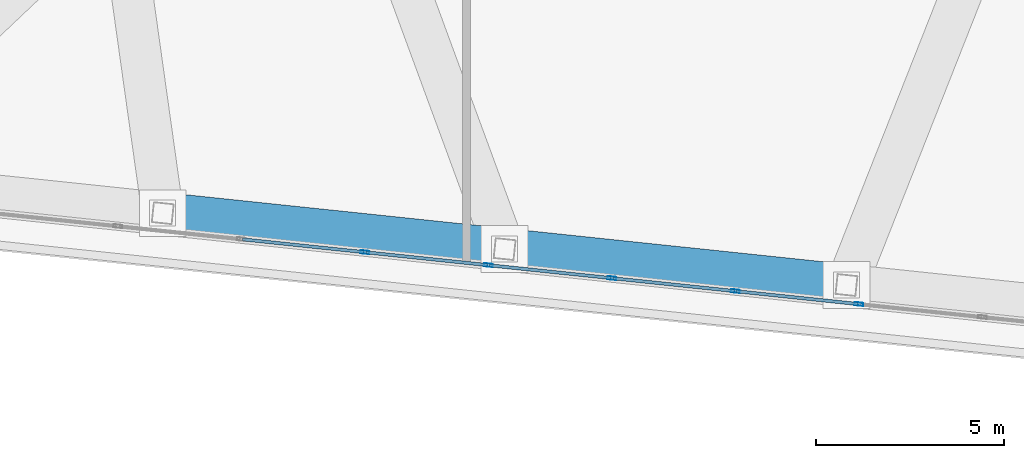
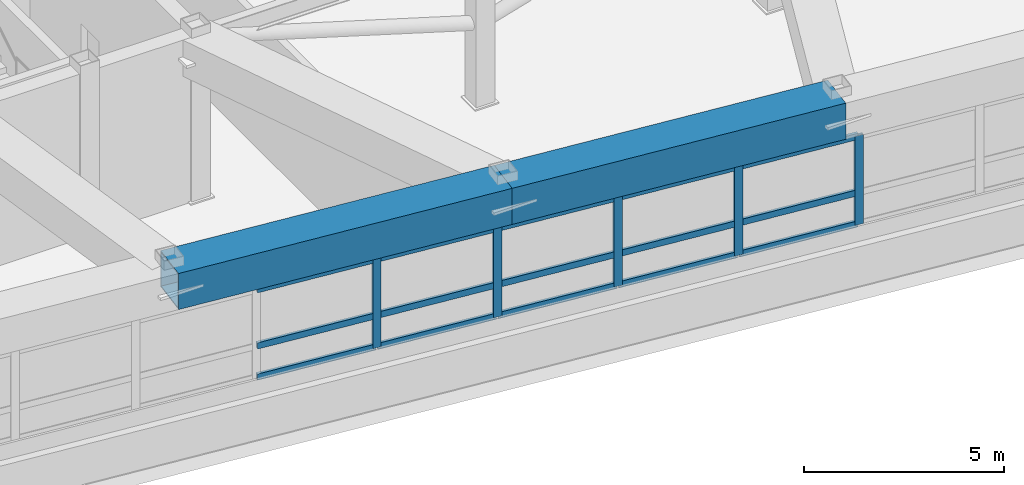
# One storey, part 3 of 22: 20 members, 2 beams, 1 element without a shape of its own.
"""IFC4 building model written with IfcOpenShell, lengths in metres."""

from ifc_helpers import new_model, si_unit, direction, frame, origin, origin_2d, place, context, subcontext, project, spatial, hollow_rectangle, extrude, material, layer, layer_set, material_profile, profile_set, type_object, element, aggregate, save


model = new_model("IFC4")

# Units and contexts
model_context = context("Model", 3, precision=1e-05, world=origin(), true_north=direction((0.0, 1.0)))
body_context = subcontext(model_context, "Body", "Model", "MODEL_VIEW")
ifc_project = project(units=[si_unit("LENGTHUNIT", "METRE"), si_unit("AREAUNIT", "SQUARE_METRE"), si_unit("VOLUMEUNIT", "CUBIC_METRE"), si_unit("PLANEANGLEUNIT", "RADIAN"), si_unit("MASSUNIT", "GRAM", prefix="KILO")], contexts=[model_context])

# Site, building, storey
site_placement = place(None, origin())
site = spatial("IfcSite", under=ifc_project, at=site_placement, CompositionType="ELEMENT")
building_placement = place(site_placement, origin())
building = spatial("IfcBuilding", under=site, at=building_placement, Name="Voryun Gate Residences", CompositionType="ELEMENT")
storey_placement = place(building_placement, frame((0.0, 0.0, 310.699951171875)))
storey = spatial("IfcBuildingStorey", under=building, at=storey_placement, Name="L77", CompositionType="ELEMENT", Elevation=310.699951171875)

# Beams
ifc_material_1 = material(Name="Steel SM420", Category="steel")
ifc_material_profile_1 = material_profile(ifc_material_1, hollow_rectangle(XDim=1.10009765625, YDim=1.10009765625, WallThickness=0.035888671875, at=origin_2d()), Name="BOX-1100x1100x36")
ifc_profile_set_1 = profile_set([ifc_material_profile_1], Name="Steel SM420")
beam_type = type_object("IfcBeamType", Name="BM_ARCH_RIB", PredefinedType="USERDEFINED", material=ifc_profile_set_1)
beam_1_placement = place(storey_placement, frame((-18.0185546875, -15.824951171875, 4.47509765625), z_axis=(0.994521136856, -0.104535679778, 0.0), x_axis=(0.104535679778, 0.994521136856, 0.0)))
element("IfcBeam", 1, at=beam_1_placement, inside=storey, type_object=beam_type, Name="BM-L77-SPAND-02", ObjectType="GIRDER", PredefinedType="USERDEFINED", context=body_context, shape_type="SweptSolid", body=[
    extrude(hollow_rectangle(XDim=1.10009765625, YDim=1.10009765625, WallThickness=0.035888671875, at=origin_2d()), origin(), (0.0, 0.0, 1.0), 9.1201171875),
])
beam_2_placement = place(storey_placement, frame((-8.948486328125, -16.7783203125, 4.47509765625), z_axis=(0.994520844313, -0.104538462908, 0.0), x_axis=(0.104538462908, 0.994520844313, 0.0)))
element("IfcBeam", 2, at=beam_2_placement, inside=storey, type_object=beam_type, Name="BM-L77-SPAND-03", ObjectType="GIRDER", PredefinedType="USERDEFINED", context=body_context, shape_type="SweptSolid", body=[
    extrude(hollow_rectangle(XDim=1.10009765625, YDim=1.10009765625, WallThickness=0.035888671875, at=origin_2d()), origin(), (0.0, 0.0, 1.0), 9.119873046875),
])

# Curtain wall, members
ifc_material_2 = material(Name="Anodised aluminium", Category="aluminium")
ifc_layer = layer(ifc_material_2, 0.22998046875, Name="CW_SYS_LANTERN_DARK_GLASS")
ifc_layer_set = layer_set([ifc_layer], Name="Anodised aluminium")
curtain_wall_type = type_object("IfcCurtainWallType", Name="CW_SYS_LANTERN_DARK_GLASS", PredefinedType="NOTDEFINED", material=ifc_layer_set)
curtain_wall_placement = place(storey_placement, origin())
curtain_wall = element("IfcCurtainWall", 3, at=curtain_wall_placement, inside=storey, type_object=curtain_wall_type, Name="Curtain wall CW6-L77-01", PredefinedType="NOTDEFINED")
ifc_material_3 = material(Name="Anodised aluminium", Category="aluminium")
ifc_material_profile_2 = material_profile(ifc_material_3, hollow_rectangle(XDim=0.0849609375, YDim=0.22998046875, WallThickness=0.006103515625, at=origin_2d()), Name="ALU-MULL-230x85x6")
ifc_profile_set_2 = profile_set([ifc_material_profile_2], Name="Anodised aluminium")
member_type_1 = type_object("IfcMemberType", Name="CW_MULL_LANT", PredefinedType="MULLION", material=ifc_profile_set_2)
member_1_placement = place(storey_placement, frame((0.452392578125, -18.239013671875, 1.18994140625), z_axis=(0.0, 0.0, 1.0), x_axis=(-0.10452775858, -0.994521969434, 0.0)))
member_1 = element("IfcMember", 4, at=member_1_placement, type_object=member_type_1, Name="CW6 mullion 6", PredefinedType="MULLION", context=body_context, shape_type="SweptSolid", body=[
    extrude(hollow_rectangle(XDim=0.0849609375, YDim=0.22998046875, WallThickness=0.006103515625, at=origin_2d()), origin(), (0.0, 0.0, 1.0), 2.72509765625),
])
member_2_placement = place(storey_placement, frame((-2.82421875, -17.89453125, 1.18994140625), z_axis=(0.0, 0.0, 1.0), x_axis=(-0.10452775858, -0.994521969434, 0.0)))
member_2 = element("IfcMember", 5, at=member_2_placement, type_object=member_type_1, Name="CW6 mullion 7", PredefinedType="MULLION", context=body_context, shape_type="SweptSolid", body=[
    extrude(hollow_rectangle(XDim=0.0849609375, YDim=0.22998046875, WallThickness=0.006103515625, at=origin_2d()), origin(), (0.0, 0.0, 1.0), 2.72509765625),
])
member_3_placement = place(storey_placement, frame((-6.10107421875, -17.55029296875, 1.18994140625), z_axis=(0.0, 0.0, 1.0), x_axis=(-0.10452775858, -0.994521969434, 0.0)))
member_3 = element("IfcMember", 6, at=member_3_placement, type_object=member_type_1, Name="CW6 mullion 8", PredefinedType="MULLION", context=body_context, shape_type="SweptSolid", body=[
    extrude(hollow_rectangle(XDim=0.0849609375, YDim=0.22998046875, WallThickness=0.006103515625, at=origin_2d()), origin(), (0.0, 0.0, 1.0), 2.72509765625),
])
member_4_placement = place(storey_placement, frame((-9.377685546875, -17.205810546875, 1.18994140625), z_axis=(0.0, 0.0, 1.0), x_axis=(-0.10452775858, -0.994521969434, 0.0)))
member_4 = element("IfcMember", 7, at=member_4_placement, type_object=member_type_1, Name="CW6 mullion 9", PredefinedType="MULLION", context=body_context, shape_type="SweptSolid", body=[
    extrude(hollow_rectangle(XDim=0.0849609375, YDim=0.22998046875, WallThickness=0.006103515625, at=origin_2d()), origin(), (0.0, 0.0, 1.0), 2.72509765625),
])
member_5_placement = place(storey_placement, frame((-12.654296875, -16.861328125, 1.18994140625), z_axis=(0.0, 0.0, 1.0), x_axis=(-0.10452775858, -0.994521969434, 0.0)))
member_5 = element("IfcMember", 8, at=member_5_placement, type_object=member_type_1, Name="CW6 mullion 10", PredefinedType="MULLION", context=body_context, shape_type="SweptSolid", body=[
    extrude(hollow_rectangle(XDim=0.0849609375, YDim=0.22998046875, WallThickness=0.006103515625, at=origin_2d()), origin(), (0.0, 0.0, 1.0), 2.72509765625),
])
ifc_material_4 = material(Name="Anodised aluminium", Category="aluminium")
ifc_material_profile_3 = material_profile(ifc_material_4, hollow_rectangle(XDim=0.0849609375, YDim=0.18994140625, WallThickness=0.006103515625, at=origin_2d()), Name="ALU-TRAN-190x85x6")
ifc_profile_set_3 = profile_set([ifc_material_profile_3], Name="Anodised aluminium")
member_type_2 = type_object("IfcMemberType", Name="CW_TRAN_LANT", PredefinedType="USERDEFINED", material=ifc_profile_set_3)
member_6_placement = place(storey_placement, frame((0.42236328125, -18.23583984375, 1.219970703125), z_axis=(-0.994520745033, 0.104539407398, 0.0), x_axis=(-0.104539407398, -0.994520745033, 0.0)))
member_6 = element("IfcMember", 9, at=member_6_placement, type_object=member_type_2, Name="CW6 transom 6.1", ObjectType="TRANSOM", PredefinedType="USERDEFINED", context=body_context, shape_type="SweptSolid", body=[
    extrude(hollow_rectangle(XDim=0.0849609375, YDim=0.18994140625, WallThickness=0.006103515625, at=origin_2d()), origin(), (0.0, 0.0, 1.0), 3.234619140625),
])
member_7_placement = place(storey_placement, frame((0.42236328125, -18.23583984375, 2.171142578125), z_axis=(-0.994520745033, 0.104539407398, 0.0), x_axis=(-0.104539407398, -0.994520745033, 0.0)))
member_7 = element("IfcMember", 10, at=member_7_placement, type_object=member_type_2, Name="CW6 transom 6.2", ObjectType="TRANSOM", PredefinedType="USERDEFINED", context=body_context, shape_type="SweptSolid", body=[
    extrude(hollow_rectangle(XDim=0.0849609375, YDim=0.18994140625, WallThickness=0.006103515625, at=origin_2d()), origin(), (0.0, 0.0, 1.0), 3.234619140625),
])
member_8_placement = place(storey_placement, frame((0.42236328125, -18.23583984375, 3.885009765625), z_axis=(-0.994520745033, 0.104539407398, 0.0), x_axis=(-0.104539407398, -0.994520745033, 0.0)))
member_8 = element("IfcMember", 11, at=member_8_placement, type_object=member_type_2, Name="CW6 transom 6.3", ObjectType="TRANSOM", PredefinedType="USERDEFINED", context=body_context, shape_type="SweptSolid", body=[
    extrude(hollow_rectangle(XDim=0.0849609375, YDim=0.18994140625, WallThickness=0.006103515625, at=origin_2d()), origin(), (0.0, 0.0, 1.0), 3.234619140625),
])
member_9_placement = place(storey_placement, frame((-2.854248046875, -17.891357421875, 1.219970703125), z_axis=(-0.994520745033, 0.104539407398, 0.0), x_axis=(-0.104539407398, -0.994520745033, 0.0)))
member_9 = element("IfcMember", 12, at=member_9_placement, type_object=member_type_2, Name="CW6 transom 7.1", ObjectType="TRANSOM", PredefinedType="USERDEFINED", context=body_context, shape_type="SweptSolid", body=[
    extrude(hollow_rectangle(XDim=0.0849609375, YDim=0.18994140625, WallThickness=0.006103515625, at=origin_2d()), origin(), (0.0, 0.0, 1.0), 3.234619140625),
])
member_10_placement = place(storey_placement, frame((-2.854248046875, -17.891357421875, 2.171142578125), z_axis=(-0.994520745033, 0.104539407398, 0.0), x_axis=(-0.104539407398, -0.994520745033, 0.0)))
member_10 = element("IfcMember", 13, at=member_10_placement, type_object=member_type_2, Name="CW6 transom 7.2", ObjectType="TRANSOM", PredefinedType="USERDEFINED", context=body_context, shape_type="SweptSolid", body=[
    extrude(hollow_rectangle(XDim=0.0849609375, YDim=0.18994140625, WallThickness=0.006103515625, at=origin_2d()), origin(), (0.0, 0.0, 1.0), 3.234619140625),
])
member_11_placement = place(storey_placement, frame((-2.854248046875, -17.891357421875, 3.885009765625), z_axis=(-0.994520745033, 0.104539407398, 0.0), x_axis=(-0.104539407398, -0.994520745033, 0.0)))
member_11 = element("IfcMember", 14, at=member_11_placement, type_object=member_type_2, Name="CW6 transom 7.3", ObjectType="TRANSOM", PredefinedType="USERDEFINED", context=body_context, shape_type="SweptSolid", body=[
    extrude(hollow_rectangle(XDim=0.0849609375, YDim=0.18994140625, WallThickness=0.006103515625, at=origin_2d()), origin(), (0.0, 0.0, 1.0), 3.234619140625),
])
member_12_placement = place(storey_placement, frame((-6.130859375, -17.547119140625, 1.219970703125), z_axis=(-0.994520745033, 0.104539407398, 0.0), x_axis=(-0.104539407398, -0.994520745033, 0.0)))
member_12 = element("IfcMember", 15, at=member_12_placement, type_object=member_type_2, Name="CW6 transom 8.1", ObjectType="TRANSOM", PredefinedType="USERDEFINED", context=body_context, shape_type="SweptSolid", body=[
    extrude(hollow_rectangle(XDim=0.0849609375, YDim=0.18994140625, WallThickness=0.006103515625, at=origin_2d()), origin(), (0.0, 0.0, 1.0), 3.234619140625),
])
member_13_placement = place(storey_placement, frame((-6.130859375, -17.547119140625, 2.171142578125), z_axis=(-0.994520745033, 0.104539407398, 0.0), x_axis=(-0.104539407398, -0.994520745033, 0.0)))
member_13 = element("IfcMember", 16, at=member_13_placement, type_object=member_type_2, Name="CW6 transom 8.2", ObjectType="TRANSOM", PredefinedType="USERDEFINED", context=body_context, shape_type="SweptSolid", body=[
    extrude(hollow_rectangle(XDim=0.0849609375, YDim=0.18994140625, WallThickness=0.006103515625, at=origin_2d()), origin(), (0.0, 0.0, 1.0), 3.234619140625),
])
member_14_placement = place(storey_placement, frame((-6.130859375, -17.547119140625, 3.885009765625), z_axis=(-0.994520745033, 0.104539407398, 0.0), x_axis=(-0.104539407398, -0.994520745033, 0.0)))
member_14 = element("IfcMember", 17, at=member_14_placement, type_object=member_type_2, Name="CW6 transom 8.3", ObjectType="TRANSOM", PredefinedType="USERDEFINED", context=body_context, shape_type="SweptSolid", body=[
    extrude(hollow_rectangle(XDim=0.0849609375, YDim=0.18994140625, WallThickness=0.006103515625, at=origin_2d()), origin(), (0.0, 0.0, 1.0), 3.234619140625),
])
member_15_placement = place(storey_placement, frame((-9.407470703125, -17.20263671875, 1.219970703125), z_axis=(-0.994520745033, 0.104539407398, 0.0), x_axis=(-0.104539407398, -0.994520745033, 0.0)))
member_15 = element("IfcMember", 18, at=member_15_placement, type_object=member_type_2, Name="CW6 transom 9.1", ObjectType="TRANSOM", PredefinedType="USERDEFINED", context=body_context, shape_type="SweptSolid", body=[
    extrude(hollow_rectangle(XDim=0.0849609375, YDim=0.18994140625, WallThickness=0.006103515625, at=origin_2d()), origin(), (0.0, 0.0, 1.0), 3.234619140625),
])
member_16_placement = place(storey_placement, frame((-9.407470703125, -17.20263671875, 2.171142578125), z_axis=(-0.994520745033, 0.104539407398, 0.0), x_axis=(-0.104539407398, -0.994520745033, 0.0)))
member_16 = element("IfcMember", 19, at=member_16_placement, type_object=member_type_2, Name="CW6 transom 9.2", ObjectType="TRANSOM", PredefinedType="USERDEFINED", context=body_context, shape_type="SweptSolid", body=[
    extrude(hollow_rectangle(XDim=0.0849609375, YDim=0.18994140625, WallThickness=0.006103515625, at=origin_2d()), origin(), (0.0, 0.0, 1.0), 3.234619140625),
])
member_17_placement = place(storey_placement, frame((-9.407470703125, -17.20263671875, 3.885009765625), z_axis=(-0.994520745033, 0.104539407398, 0.0), x_axis=(-0.104539407398, -0.994520745033, 0.0)))
member_17 = element("IfcMember", 20, at=member_17_placement, type_object=member_type_2, Name="CW6 transom 9.3", ObjectType="TRANSOM", PredefinedType="USERDEFINED", context=body_context, shape_type="SweptSolid", body=[
    extrude(hollow_rectangle(XDim=0.0849609375, YDim=0.18994140625, WallThickness=0.006103515625, at=origin_2d()), origin(), (0.0, 0.0, 1.0), 3.234619140625),
])
member_18_placement = place(storey_placement, frame((-12.68408203125, -16.8583984375, 1.219970703125), z_axis=(-0.994520745033, 0.104539407398, 0.0), x_axis=(-0.104539407398, -0.994520745033, 0.0)))
member_18 = element("IfcMember", 21, at=member_18_placement, type_object=member_type_2, Name="CW6 transom 10.1", ObjectType="TRANSOM", PredefinedType="USERDEFINED", context=body_context, shape_type="SweptSolid", body=[
    extrude(hollow_rectangle(XDim=0.0849609375, YDim=0.18994140625, WallThickness=0.006103515625, at=origin_2d()), origin(), (0.0, 0.0, 1.0), 3.234619140625),
])
member_19_placement = place(storey_placement, frame((-12.68408203125, -16.8583984375, 2.171142578125), z_axis=(-0.994520745033, 0.104539407398, 0.0), x_axis=(-0.104539407398, -0.994520745033, 0.0)))
member_19 = element("IfcMember", 22, at=member_19_placement, type_object=member_type_2, Name="CW6 transom 10.2", ObjectType="TRANSOM", PredefinedType="USERDEFINED", context=body_context, shape_type="SweptSolid", body=[
    extrude(hollow_rectangle(XDim=0.0849609375, YDim=0.18994140625, WallThickness=0.006103515625, at=origin_2d()), origin(), (0.0, 0.0, 1.0), 3.234619140625),
])
member_20_placement = place(storey_placement, frame((-12.68408203125, -16.8583984375, 3.885009765625), z_axis=(-0.994520745033, 0.104539407398, 0.0), x_axis=(-0.104539407398, -0.994520745033, 0.0)))
member_20 = element("IfcMember", 23, at=member_20_placement, type_object=member_type_2, Name="CW6 transom 10.3", ObjectType="TRANSOM", PredefinedType="USERDEFINED", context=body_context, shape_type="SweptSolid", body=[
    extrude(hollow_rectangle(XDim=0.0849609375, YDim=0.18994140625, WallThickness=0.006103515625, at=origin_2d()), origin(), (0.0, 0.0, 1.0), 3.234619140625),
])
aggregate(curtain_wall, [member_1, member_2, member_3, member_4, member_5, member_6, member_7, member_8, member_9, member_10, member_11, member_12, member_13, member_14, member_15, member_16, member_17, member_18, member_19, member_20])

save(model, "model.ifc")
